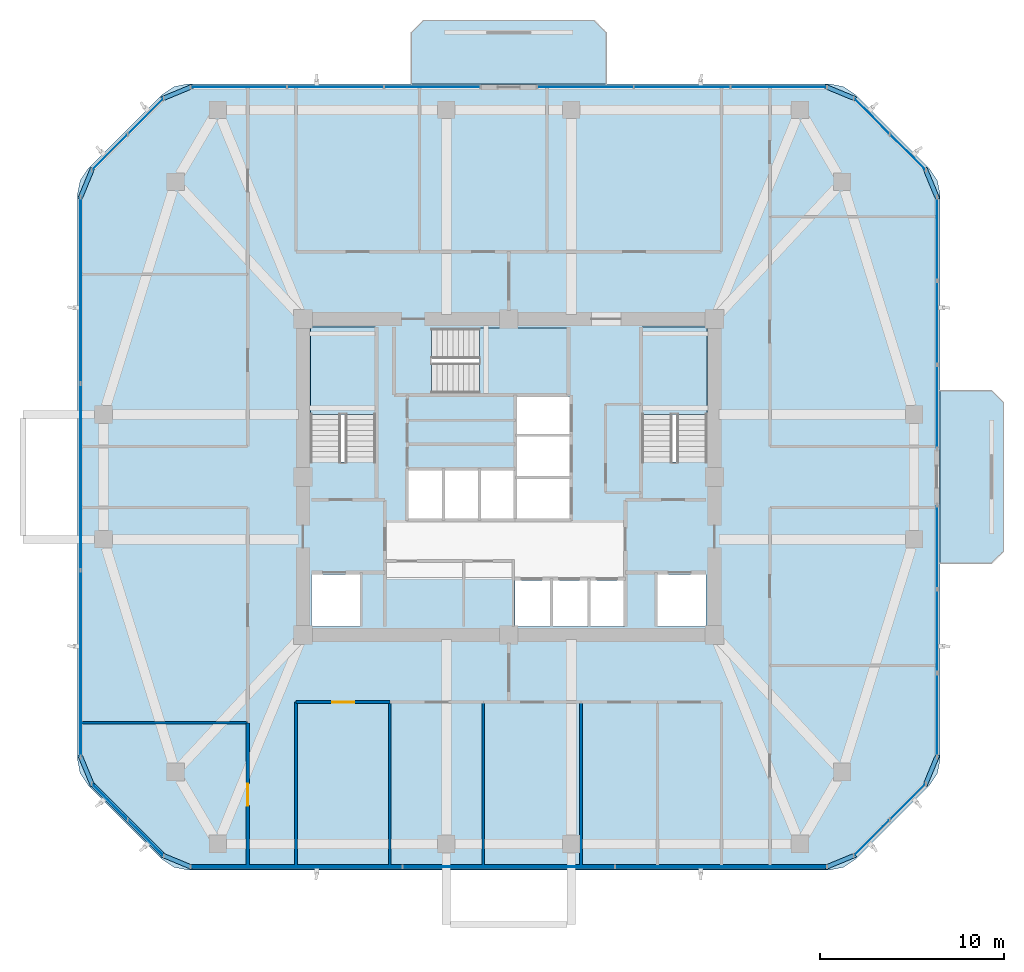
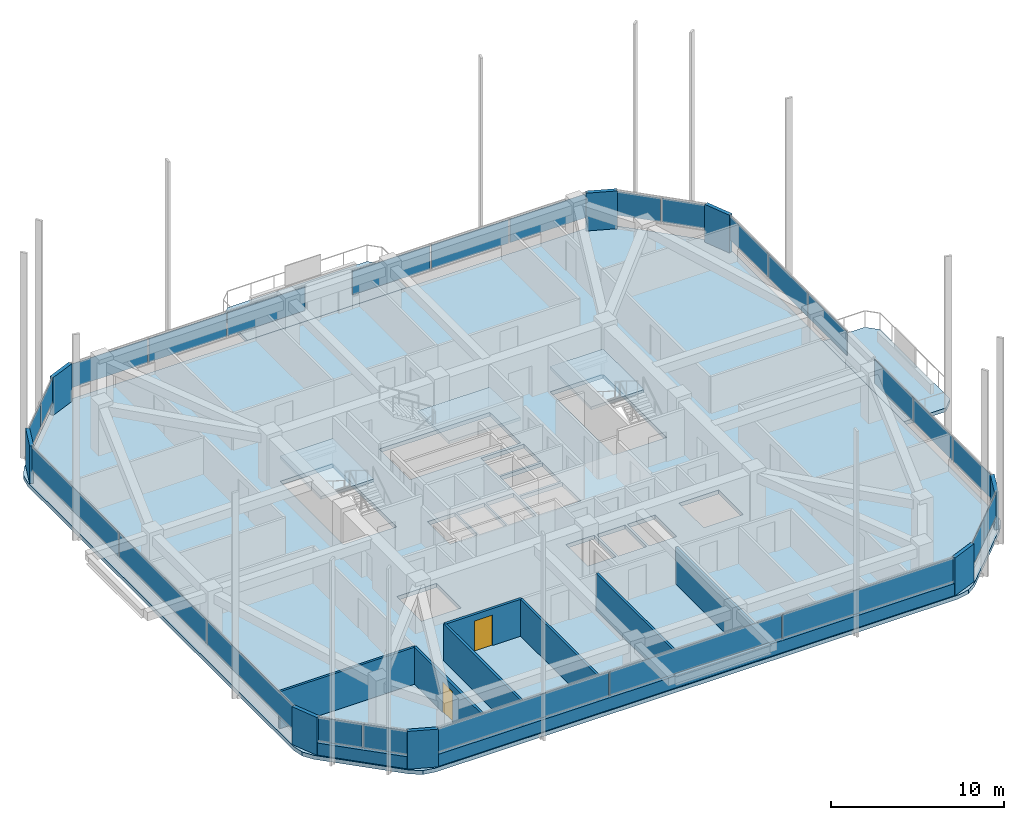
# One storey, part 7 of 14: 34 plates, 9 walls, 6 slabs, 2 doors, 2 openings, 13 elements without a shape of their own.
"""IFC4 building model written with IfcOpenShell, lengths in metres."""

from ifc_helpers import new_model, si_unit, derived_unit, direction, frame, frame_2d, origin, origin_2d, place, context, subcontext, project, spatial, polyline, rectangle, outline, extrude, material, layer, layer_set, type_object, element, fill, aggregate, save


model = new_model("IFC4")

# Units and contexts
model_context = context("Model", 3, precision=1e-05, world=origin(), true_north=direction((0.0, 1.0)))
body_context = subcontext(model_context, "Body", "Model", "MODEL_VIEW")
ifc_project = project(units=[si_unit("LENGTHUNIT", "METRE"), si_unit("AREAUNIT", "SQUARE_METRE"), si_unit("VOLUMEUNIT", "CUBIC_METRE"), si_unit("PLANEANGLEUNIT", "RADIAN"), si_unit("MASSUNIT", "GRAM", prefix="KILO"), derived_unit("THERMALTRANSMITTANCEUNIT", [(si_unit("POWERUNIT", "WATT"), 1), (si_unit("LENGTHUNIT", "METRE"), -2), (si_unit("THERMODYNAMICTEMPERATUREUNIT", "KELVIN"), -1)])], contexts=[model_context])

# Site, building, storey
site_placement = place(None, origin())
site = spatial("IfcSite", under=ifc_project, at=site_placement, CompositionType="ELEMENT")
building_placement = place(site_placement, origin())
building = spatial("IfcBuilding", under=site, at=building_placement, Name="Koralith Skygarden Medical Center", CompositionType="ELEMENT")
storey_placement = place(building_placement, frame((0.0, 0.0, 145.6201171875)))
storey = spatial("IfcBuildingStorey", under=building, at=storey_placement, Name="L37", CompositionType="ELEMENT", Elevation=145.6201171875)

# Curtain wall, plates
ifc_material_1 = material(Name="Clear Laminated Glass", Category="glass")
curtain_wall_type = type_object("IfcCurtainWallType", Name="CW-4 Zone 3 Waist High-Wind Curtain Wall", PredefinedType="NOTDEFINED", material=ifc_material_1)
curtain_wall_1_placement = place(storey_placement, origin())
curtain_wall_1 = element("IfcCurtainWall", 1, at=curtain_wall_1_placement, inside=storey, type_object=curtain_wall_type, Name="Curtain Wall CW-L37-S", PredefinedType="NOTDEFINED")
ifc_layer_1 = layer(ifc_material_1, 0.035888671875)
ifc_layer_set_1 = layer_set([ifc_layer_1], Name="Clear Laminated Glass")
plate_type_1 = type_object("IfcPlateType", Name="CW-4 Hurricane Laminated IGU Panel 36", PredefinedType="CURTAIN_PANEL", material=ifc_layer_set_1)
plate_1_placement = place(storey_placement, frame((25.447021484375, 4.679931640625, 0.919921875), z_axis=(0.0, 0.0, 1.0), x_axis=(1.0, 0.0, 0.0)))
plate_1 = element("IfcPlate", 2, at=plate_1_placement, type_object=plate_type_1, Name="CW-L37-S Glazed Panel 1", PredefinedType="CURTAIN_PANEL", context=body_context, shape_type="SweptSolid", body=[
    extrude(rectangle(XDim=11.462890625, YDim=0.035888671875, at=origin_2d()), origin(), (0.0, 0.0, 1.0), 1.679931640625),
])
plate_2_placement = place(storey_placement, frame((37.0, 4.679931640625, 0.919921875), z_axis=(0.0, 0.0, 1.0), x_axis=(1.0, 0.0, 0.0)))
plate_2 = element("IfcPlate", 3, at=plate_2_placement, type_object=plate_type_1, Name="CW-L37-S Glazed Panel 2", PredefinedType="CURTAIN_PANEL", context=body_context, shape_type="SweptSolid", body=[
    extrude(rectangle(XDim=11.462890625, YDim=0.035888671875, at=origin_2d()), origin(), (0.0, 0.0, 1.0), 1.679931640625),
])
plate_3_placement = place(storey_placement, frame((48.552978515625, 4.679931640625, 0.919921875), z_axis=(0.0, 0.0, 1.0), x_axis=(1.0, 0.0, 0.0)))
plate_3 = element("IfcPlate", 4, at=plate_3_placement, type_object=plate_type_1, Name="CW-L37-S Glazed Panel 3", PredefinedType="CURTAIN_PANEL", context=body_context, shape_type="SweptSolid", body=[
    extrude(rectangle(XDim=11.462890625, YDim=0.035888671875, at=origin_2d()), origin(), (0.0, 0.0, 1.0), 1.679931640625),
])
aggregate(curtain_wall_1, [plate_1, plate_2, plate_3])

curtain_wall_2_placement = place(storey_placement, origin())
curtain_wall_2 = element("IfcCurtainWall", 5, at=curtain_wall_2_placement, inside=storey, type_object=curtain_wall_type, Name="Curtain Wall CW-L37-SE", PredefinedType="NOTDEFINED")
plate_4_placement = place(storey_placement, frame((56.760986328125, 6.261962890625, 0.919921875), z_axis=(0.0, 0.0, 1.0), x_axis=(0.707106781187, 0.707106781187, 0.0)))
plate_4 = element("IfcPlate", 6, at=plate_4_placement, type_object=plate_type_1, Name="CW-L37-SE Glazed Panel 1", PredefinedType="CURTAIN_PANEL", context=body_context, shape_type="SweptSolid", body=[
    extrude(rectangle(XDim=2.68408203125, YDim=0.035888671875, at=origin_2d()), origin(), (0.0, 0.0, 1.0), 1.679931640625),
])
plate_5_placement = place(storey_placement, frame((58.721923828125, 8.222900390625, 0.919921875), z_axis=(0.0, 0.0, 1.0), x_axis=(0.707106781187, 0.707106781187, 0.0)))
plate_5 = element("IfcPlate", 7, at=plate_5_placement, type_object=plate_type_1, Name="CW-L37-SE Glazed Panel 2", PredefinedType="CURTAIN_PANEL", context=body_context, shape_type="SweptSolid", body=[
    extrude(rectangle(XDim=2.68408203125, YDim=0.035888671875, at=origin_2d()), origin(), (0.0, 0.0, 1.0), 1.679931640625),
])
aggregate(curtain_wall_2, [plate_4, plate_5])

curtain_wall_3_placement = place(storey_placement, origin())
curtain_wall_3 = element("IfcCurtainWall", 8, at=curtain_wall_3_placement, inside=storey, type_object=curtain_wall_type, Name="Curtain Wall CW-L37-E-L", PredefinedType="NOTDEFINED")
plate_6_placement = place(storey_placement, frame((60.303955078125, 12.93896484375, 0.919921875), z_axis=(0.0, 0.0, 1.0), x_axis=(0.0, 1.0, 0.0)))
plate_6 = element("IfcPlate", 9, at=plate_6_placement, type_object=plate_type_1, Name="CW-L37-E-L Glazed Panel 1", PredefinedType="CURTAIN_PANEL", context=body_context, shape_type="SweptSolid", body=[
    extrude(rectangle(XDim=4.47802734375, YDim=0.035888671875, at=origin_2d()), origin(), (0.0, 0.0, 1.0), 1.679931640625),
])
plate_7_placement = place(storey_placement, frame((60.303955078125, 17.508056640625, 0.919921875), z_axis=(0.0, 0.0, 1.0), x_axis=(0.0, 1.0, 0.0)))
plate_7 = element("IfcPlate", 10, at=plate_7_placement, type_object=plate_type_1, Name="CW-L37-E-L Glazed Panel 2", PredefinedType="CURTAIN_PANEL", context=body_context, shape_type="SweptSolid", body=[
    extrude(rectangle(XDim=4.47802734375, YDim=0.035888671875, at=origin_2d()), origin(), (0.0, 0.0, 1.0), 1.679931640625),
])
plate_8_placement = place(storey_placement, frame((60.303955078125, 22.075927734375, 0.919921875), z_axis=(0.0, 0.0, 1.0), x_axis=(0.0, 1.0, 0.0)))
plate_8 = element("IfcPlate", 11, at=plate_8_placement, type_object=plate_type_1, Name="CW-L37-E-L Glazed Panel 3", PredefinedType="CURTAIN_PANEL", context=body_context, shape_type="SweptSolid", body=[
    extrude(rectangle(XDim=4.47802734375, YDim=0.035888671875, at=origin_2d()), origin(), (0.0, 0.0, 1.0), 1.679931640625),
])
aggregate(curtain_wall_3, [plate_6, plate_7, plate_8])

curtain_wall_4_placement = place(storey_placement, origin())
curtain_wall_4 = element("IfcCurtainWall", 12, at=curtain_wall_4_placement, inside=storey, type_object=curtain_wall_type, Name="Curtain Wall CW-L37-E-R", PredefinedType="NOTDEFINED")
plate_9_placement = place(storey_placement, frame((60.303955078125, 29.72412109375, 0.919921875), z_axis=(0.0, 0.0, 1.0), x_axis=(0.0, 1.0, 0.0)))
plate_9 = element("IfcPlate", 13, at=plate_9_placement, type_object=plate_type_1, Name="CW-L37-E-R Glazed Panel 1", PredefinedType="CURTAIN_PANEL", context=body_context, shape_type="SweptSolid", body=[
    extrude(rectangle(XDim=4.47802734375, YDim=0.035888671875, at=origin_2d()), origin(), (0.0, 0.0, 1.0), 1.679931640625),
])
plate_10_placement = place(storey_placement, frame((60.303955078125, 34.29296875, 0.919921875), z_axis=(0.0, 0.0, 1.0), x_axis=(0.0, 1.0, 0.0)))
plate_10 = element("IfcPlate", 14, at=plate_10_placement, type_object=plate_type_1, Name="CW-L37-E-R Glazed Panel 2", PredefinedType="CURTAIN_PANEL", context=body_context, shape_type="SweptSolid", body=[
    extrude(rectangle(XDim=4.47802734375, YDim=0.035888671875, at=origin_2d()), origin(), (0.0, 0.0, 1.0), 1.679931640625),
])
plate_11_placement = place(storey_placement, frame((60.303955078125, 38.861083984375, 0.919921875), z_axis=(0.0, 0.0, 1.0), x_axis=(0.0, 1.0, 0.0)))
plate_11 = element("IfcPlate", 15, at=plate_11_placement, type_object=plate_type_1, Name="CW-L37-E-R Glazed Panel 3", PredefinedType="CURTAIN_PANEL", context=body_context, shape_type="SweptSolid", body=[
    extrude(rectangle(XDim=4.47802734375, YDim=0.035888671875, at=origin_2d()), origin(), (0.0, 0.0, 1.0), 1.679931640625),
])
aggregate(curtain_wall_4, [plate_9, plate_10, plate_11])

curtain_wall_5_placement = place(storey_placement, origin())
curtain_wall_5 = element("IfcCurtainWall", 16, at=curtain_wall_5_placement, inside=storey, type_object=curtain_wall_type, Name="Curtain Wall CW-L37-NE", PredefinedType="NOTDEFINED")
plate_12_placement = place(storey_placement, frame((58.721923828125, 43.576904296875, 0.919921875), z_axis=(0.0, 0.0, 1.0), x_axis=(-0.707106781187, 0.707106781187, 0.0)))
plate_12 = element("IfcPlate", 17, at=plate_12_placement, type_object=plate_type_1, Name="CW-L37-NE Glazed Panel 1", PredefinedType="CURTAIN_PANEL", context=body_context, shape_type="SweptSolid", body=[
    extrude(rectangle(XDim=2.68408203125, YDim=0.035888671875, at=origin_2d()), origin(), (0.0, 0.0, 1.0), 1.679931640625),
])
plate_13_placement = place(storey_placement, frame((56.760986328125, 45.5380859375, 0.919921875), z_axis=(0.0, 0.0, 1.0), x_axis=(-0.707106781187, 0.707106781187, 0.0)))
plate_13 = element("IfcPlate", 18, at=plate_13_placement, type_object=plate_type_1, Name="CW-L37-NE Glazed Panel 2", PredefinedType="CURTAIN_PANEL", context=body_context, shape_type="SweptSolid", body=[
    extrude(rectangle(XDim=2.68408203125, YDim=0.035888671875, at=origin_2d()), origin(), (0.0, 0.0, 1.0), 1.679931640625),
])
aggregate(curtain_wall_5, [plate_12, plate_13])

curtain_wall_6_placement = place(storey_placement, origin())
curtain_wall_6 = element("IfcCurtainWall", 19, at=curtain_wall_6_placement, inside=storey, type_object=curtain_wall_type, Name="Curtain Wall CW-L37-N-L", PredefinedType="NOTDEFINED")
plate_14_placement = place(storey_placement, frame((51.697998046875, 47.1201171875, 0.919921875), z_axis=(0.0, 0.0, 1.0), x_axis=(-1.0, 0.0, 0.0)))
plate_14 = element("IfcPlate", 20, at=plate_14_placement, type_object=plate_type_1, Name="CW-L37-N-L Glazed Panel 1", PredefinedType="CURTAIN_PANEL", context=body_context, shape_type="SweptSolid", body=[
    extrude(rectangle(XDim=5.173095703125, YDim=0.035888671875, at=origin_2d()), origin(), (0.0, 0.0, 1.0), 1.679931640625),
])
plate_15_placement = place(storey_placement, frame((46.43505859375, 47.1201171875, 0.919921875), z_axis=(0.0, 0.0, 1.0), x_axis=(-1.0, 0.0, 0.0)))
plate_15 = element("IfcPlate", 21, at=plate_15_placement, type_object=plate_type_1, Name="CW-L37-N-L Glazed Panel 2", PredefinedType="CURTAIN_PANEL", context=body_context, shape_type="SweptSolid", body=[
    extrude(rectangle(XDim=5.173095703125, YDim=0.035888671875, at=origin_2d()), origin(), (0.0, 0.0, 1.0), 1.679931640625),
])
plate_16_placement = place(storey_placement, frame((41.172119140625, 47.1201171875, 0.919921875), z_axis=(0.0, 0.0, 1.0), x_axis=(-1.0, 0.0, 0.0)))
plate_16 = element("IfcPlate", 22, at=plate_16_placement, type_object=plate_type_1, Name="CW-L37-N-L Glazed Panel 3", PredefinedType="CURTAIN_PANEL", context=body_context, shape_type="SweptSolid", body=[
    extrude(rectangle(XDim=5.173095703125, YDim=0.035888671875, at=origin_2d()), origin(), (0.0, 0.0, 1.0), 1.679931640625),
])
aggregate(curtain_wall_6, [plate_14, plate_15, plate_16])

curtain_wall_7_placement = place(storey_placement, origin())
curtain_wall_7 = element("IfcCurtainWall", 23, at=curtain_wall_7_placement, inside=storey, type_object=curtain_wall_type, Name="Curtain Wall CW-L37-N-R", PredefinedType="NOTDEFINED")
plate_17_placement = place(storey_placement, frame((32.8291015625, 47.1201171875, 0.919921875), z_axis=(0.0, 0.0, 1.0), x_axis=(-1.0, 0.0, 0.0)))
plate_17 = element("IfcPlate", 24, at=plate_17_placement, type_object=plate_type_1, Name="CW-L37-N-R Glazed Panel 1", PredefinedType="CURTAIN_PANEL", context=body_context, shape_type="SweptSolid", body=[
    extrude(rectangle(XDim=5.173095703125, YDim=0.035888671875, at=origin_2d()), origin(), (0.0, 0.0, 1.0), 1.679931640625),
])
plate_18_placement = place(storey_placement, frame((27.56591796875, 47.1201171875, 0.919921875), z_axis=(0.0, 0.0, 1.0), x_axis=(-1.0, 0.0, 0.0)))
plate_18 = element("IfcPlate", 25, at=plate_18_placement, type_object=plate_type_1, Name="CW-L37-N-R Glazed Panel 2", PredefinedType="CURTAIN_PANEL", context=body_context, shape_type="SweptSolid", body=[
    extrude(rectangle(XDim=5.173095703125, YDim=0.035888671875, at=origin_2d()), origin(), (0.0, 0.0, 1.0), 1.679931640625),
])
plate_19_placement = place(storey_placement, frame((22.302978515625, 47.1201171875, 0.919921875), z_axis=(0.0, 0.0, 1.0), x_axis=(-1.0, 0.0, 0.0)))
plate_19 = element("IfcPlate", 26, at=plate_19_placement, type_object=plate_type_1, Name="CW-L37-N-R Glazed Panel 3", PredefinedType="CURTAIN_PANEL", context=body_context, shape_type="SweptSolid", body=[
    extrude(rectangle(XDim=5.173095703125, YDim=0.035888671875, at=origin_2d()), origin(), (0.0, 0.0, 1.0), 1.679931640625),
])
aggregate(curtain_wall_7, [plate_17, plate_18, plate_19])

curtain_wall_8_placement = place(storey_placement, origin())
curtain_wall_8 = element("IfcCurtainWall", 27, at=curtain_wall_8_placement, inside=storey, type_object=curtain_wall_type, Name="Curtain Wall CW-L37-NW", PredefinedType="NOTDEFINED")
plate_20_placement = place(storey_placement, frame((17.239013671875, 45.5380859375, 0.919921875), z_axis=(0.0, 0.0, 1.0), x_axis=(-0.707106781187, -0.707106781187, 0.0)))
plate_20 = element("IfcPlate", 28, at=plate_20_placement, type_object=plate_type_1, Name="CW-L37-NW Glazed Panel 1", PredefinedType="CURTAIN_PANEL", context=body_context, shape_type="SweptSolid", body=[
    extrude(rectangle(XDim=2.68408203125, YDim=0.035888671875, at=origin_2d()), origin(), (0.0, 0.0, 1.0), 1.679931640625),
])
plate_21_placement = place(storey_placement, frame((15.278076171875, 43.576904296875, 0.919921875), z_axis=(0.0, 0.0, 1.0), x_axis=(-0.707106781187, -0.707106781187, 0.0)))
plate_21 = element("IfcPlate", 29, at=plate_21_placement, type_object=plate_type_1, Name="CW-L37-NW Glazed Panel 2", PredefinedType="CURTAIN_PANEL", context=body_context, shape_type="SweptSolid", body=[
    extrude(rectangle(XDim=2.68408203125, YDim=0.035888671875, at=origin_2d()), origin(), (0.0, 0.0, 1.0), 1.679931640625),
])
aggregate(curtain_wall_8, [plate_20, plate_21])

curtain_wall_9_placement = place(storey_placement, origin())
curtain_wall_9 = element("IfcCurtainWall", 30, at=curtain_wall_9_placement, inside=storey, type_object=curtain_wall_type, Name="Curtain Wall CW-L37-W", PredefinedType="NOTDEFINED")
plate_22_placement = place(storey_placement, frame((13.696044921875, 36.06298828125, 0.919921875), z_axis=(0.0, 0.0, 1.0), x_axis=(0.0, -1.0, 0.0)))
plate_22 = element("IfcPlate", 31, at=plate_22_placement, type_object=plate_type_1, Name="CW-L37-W Glazed Panel 1", PredefinedType="CURTAIN_PANEL", context=body_context, shape_type="SweptSolid", body=[
    extrude(rectangle(XDim=10.072998046875, YDim=0.035888671875, at=origin_2d()), origin(), (0.0, 0.0, 1.0), 1.679931640625),
])
plate_23_placement = place(storey_placement, frame((13.696044921875, 25.89990234375, 0.919921875), z_axis=(0.0, 0.0, 1.0), x_axis=(0.0, -1.0, 0.0)))
plate_23 = element("IfcPlate", 32, at=plate_23_placement, type_object=plate_type_1, Name="CW-L37-W Glazed Panel 2", PredefinedType="CURTAIN_PANEL", context=body_context, shape_type="SweptSolid", body=[
    extrude(rectangle(XDim=10.072998046875, YDim=0.035888671875, at=origin_2d()), origin(), (0.0, 0.0, 1.0), 1.679931640625),
])
plate_24_placement = place(storey_placement, frame((13.696044921875, 15.737060546875, 0.919921875), z_axis=(0.0, 0.0, 1.0), x_axis=(0.0, -1.0, 0.0)))
plate_24 = element("IfcPlate", 33, at=plate_24_placement, type_object=plate_type_1, Name="CW-L37-W Glazed Panel 3", PredefinedType="CURTAIN_PANEL", context=body_context, shape_type="SweptSolid", body=[
    extrude(rectangle(XDim=10.072998046875, YDim=0.035888671875, at=origin_2d()), origin(), (0.0, 0.0, 1.0), 1.679931640625),
])
aggregate(curtain_wall_9, [plate_22, plate_23, plate_24])

curtain_wall_10_placement = place(storey_placement, origin())
curtain_wall_10 = element("IfcCurtainWall", 34, at=curtain_wall_10_placement, inside=storey, type_object=curtain_wall_type, Name="Curtain Wall CW-L37-SW", PredefinedType="NOTDEFINED")
plate_25_placement = place(storey_placement, frame((15.278076171875, 8.222900390625, 0.919921875), z_axis=(0.0, 0.0, 1.0), x_axis=(0.707106781187, -0.707106781187, 0.0)))
plate_25 = element("IfcPlate", 35, at=plate_25_placement, type_object=plate_type_1, Name="CW-L37-SW Glazed Panel 1", PredefinedType="CURTAIN_PANEL", context=body_context, shape_type="SweptSolid", body=[
    extrude(rectangle(XDim=2.68408203125, YDim=0.035888671875, at=origin_2d()), origin(), (0.0, 0.0, 1.0), 1.679931640625),
])
plate_26_placement = place(storey_placement, frame((17.239013671875, 6.261962890625, 0.919921875), z_axis=(0.0, 0.0, 1.0), x_axis=(0.707106781187, -0.707106781187, 0.0)))
plate_26 = element("IfcPlate", 36, at=plate_26_placement, type_object=plate_type_1, Name="CW-L37-SW Glazed Panel 2", PredefinedType="CURTAIN_PANEL", context=body_context, shape_type="SweptSolid", body=[
    extrude(rectangle(XDim=2.68408203125, YDim=0.035888671875, at=origin_2d()), origin(), (0.0, 0.0, 1.0), 1.679931640625),
])
aggregate(curtain_wall_10, [plate_25, plate_26])

# Slabs
ifc_material_2 = material(Name="Concrete C45/55", Category="concrete")
ifc_layer_2 = layer(ifc_material_2, 0.260009765625)
ifc_layer_set_2 = layer_set([ifc_layer_2], Name="Concrete C45/55")
slab_type_1 = type_object("IfcSlabType", Name="Cantilevered Planted Balcony Slab 260", PredefinedType="FLOOR", material=ifc_layer_set_2)
slab_1_placement = place(storey_placement, frame((0.0, 0.0, -0.260009765625)))
element("IfcSlab", 37, at=slab_1_placement, inside=storey, type_object=slab_type_1, Name="L37 N Planted Sky-Garden Balcony Slab", PredefinedType="FLOOR", context=body_context, shape_type="SweptSolid", body=[
    extrude(outline(polyline([(31.699951171875, 47.300048828125), (42.300048828125, 47.300048828125), (42.300048828125, 50.10009765625), (41.64990234375, 50.75), (32.35009765625, 50.75), (31.699951171875, 50.10009765625), (31.699951171875, 47.300048828125)])), origin(), (0.0, 0.0, 1.0), 0.260009765625),
])
slab_2_placement = place(storey_placement, frame((0.0, 0.0, -0.260009765625)))
element("IfcSlab", 38, at=slab_2_placement, inside=storey, type_object=slab_type_1, Name="L37 E Planted Sky-Garden Balcony Slab", PredefinedType="FLOOR", context=body_context, shape_type="SweptSolid", body=[
    extrude(outline(polyline([(60.48388671875, 21.199951171875), (63.283935546875, 21.199951171875), (63.93408203125, 21.85009765625), (63.93408203125, 29.949951171875), (63.283935546875, 30.60009765625), (60.48388671875, 30.60009765625), (60.48388671875, 21.199951171875)])), origin(), (0.0, 0.0, 1.0), 0.260009765625),
])

# Stair, slab
stair_type = type_object("IfcStairType", Name="Core Exit Dogleg Concrete Stair", PredefinedType="HALF_TURN_STAIR", material=ifc_material_2)
stair_1_placement = place(storey_placement, origin())
stair_1 = element("IfcStair", 39, at=stair_1_placement, inside=storey, type_object=stair_type, Name="L37 Smokeproof Exit Stair ST1", PredefinedType="HALF_TURN_STAIR")
ifc_layer_3 = layer(ifc_material_2, 0.199951171875)
ifc_layer_set_3 = layer_set([ifc_layer_3], Name="Concrete C45/55")
slab_type_2 = type_object("IfcSlabType", Name="Core Exit Concrete Stair Landing 200", PredefinedType="LANDING", material=ifc_layer_set_3)
slab_3_placement = place(storey_placement, frame((0.0, 0.0, 1.599853515625)))
slab_3 = element("IfcSlab", 40, at=slab_3_placement, type_object=slab_type_2, Name="ST1 landing 1", PredefinedType="LANDING", context=body_context, shape_type="SweptSolid", body=[
    extrude(outline(polyline([(29.75, 29.31005859375), (29.75, 34.050048828125), (26.199951171875, 34.050048828125), (26.199951171875, 29.31005859375), (29.75, 29.31005859375)])), origin(), (0.0, 0.0, 1.0), 0.199951171875),
])
aggregate(stair_1, [slab_3])

stair_2_placement = place(storey_placement, origin())
stair_2 = element("IfcStair", 41, at=stair_2_placement, inside=storey, type_object=stair_type, Name="L37 Smokeproof Exit Stair ST2", PredefinedType="HALF_TURN_STAIR")
slab_4_placement = place(storey_placement, frame((0.0, 0.0, 1.599853515625)))
slab_4 = element("IfcSlab", 42, at=slab_4_placement, type_object=slab_type_2, Name="ST2 landing 1", PredefinedType="LANDING", context=body_context, shape_type="SweptSolid", body=[
    extrude(outline(polyline([(47.800048828125, 29.31005859375), (47.800048828125, 34.050048828125), (44.25, 34.050048828125), (44.25, 29.31005859375), (47.800048828125, 29.31005859375)])), origin(), (0.0, 0.0, 1.0), 0.199951171875),
])
aggregate(stair_2, [slab_4])

stair_3_placement = place(storey_placement, origin())
stair_3 = element("IfcStair", 43, at=stair_3_placement, inside=storey, type_object=stair_type, Name="L37 Smokeproof Exit Stair ST3", PredefinedType="HALF_TURN_STAIR")
slab_5_placement = place(storey_placement, frame((0.0, 0.0, 1.599853515625)))
slab_5 = element("IfcSlab", 44, at=slab_5_placement, type_object=slab_type_2, Name="ST3 landing 1", PredefinedType="LANDING", context=body_context, shape_type="SweptSolid", body=[
    extrude(outline(polyline([(35.409912109375, 30.449951171875), (40.199951171875, 30.449951171875), (40.199951171875, 34.0), (35.409912109375, 34.0), (35.409912109375, 30.449951171875)])), origin(), (0.0, 0.0, 1.0), 0.199951171875),
])
aggregate(stair_3, [slab_5])

# Slab
ifc_layer_4 = layer(ifc_material_2, 0.280029296875)
ifc_layer_set_4 = layer_set([ifc_layer_4], Name="Concrete C45/55")
slab_type_3 = type_object("IfcSlabType", Name="Post-Tensioned Ward Floor Plate 280", PredefinedType="FLOOR", material=ifc_layer_set_4)
slab_6_placement = place(storey_placement, frame((0.0, 0.0, -0.280029296875)))
element("IfcSlab", 45, at=slab_6_placement, inside=storey, type_object=slab_type_3, Name="Level L37 Structural Floor Slab", PredefinedType="FLOOR", context=body_context, shape_type="SweptSolid", body=[
    extrude(outline(polyline([(18.1298828125, 5.0859375), (18.779052734375, 4.652099609375), (19.5439453125, 4.5), (54.4560546875, 4.5), (55.220947265625, 4.652099609375), (55.8701171875, 5.0859375), (59.89794921875, 9.114013671875), (60.33203125, 9.762939453125), (60.48388671875, 10.528076171875), (60.48388671875, 41.27197265625), (60.33203125, 42.037109375), (59.89794921875, 42.68603515625), (55.8701171875, 46.714111328125), (55.220947265625, 47.14794921875), (54.4560546875, 47.300048828125), (19.5439453125, 47.300048828125), (18.779052734375, 47.14794921875), (18.1298828125, 46.714111328125), (14.10205078125, 42.68603515625), (13.66796875, 42.037109375), (13.51611328125, 41.27197265625), (13.51611328125, 10.528076171875), (13.66796875, 9.762939453125), (14.10205078125, 9.114013671875), (18.1298828125, 5.0859375)]), holes=[polyline([(26.199951171875, 26.705078125), (29.75, 26.705078125), (29.75, 34.050048828125), (26.199951171875, 34.050048828125), (26.199951171875, 26.705078125)]), polyline([(44.25, 26.705078125), (47.800048828125, 26.705078125), (47.800048828125, 34.050048828125), (44.25, 34.050048828125), (44.25, 26.705078125)]), polyline([(32.804931640625, 30.449951171875), (40.199951171875, 30.449951171875), (40.199951171875, 34.0), (32.804931640625, 34.0), (32.804931640625, 30.449951171875)]), polyline([(26.25, 17.75), (28.89990234375, 17.75), (28.89990234375, 20.60009765625), (26.25, 20.60009765625), (26.25, 17.75)]), polyline([(45.10009765625, 17.75), (47.75, 17.75), (47.75, 20.60009765625), (45.10009765625, 20.60009765625), (45.10009765625, 17.75)]), polyline([(37.35009765625, 17.75), (39.25, 17.75), (39.25, 20.25), (37.35009765625, 20.25), (37.35009765625, 17.75)]), polyline([(39.39990234375, 17.75), (41.300048828125, 17.75), (41.300048828125, 20.25), (39.39990234375, 20.25), (39.39990234375, 17.75)]), polyline([(41.449951171875, 17.75), (43.300048828125, 17.75), (43.300048828125, 20.25), (41.449951171875, 20.25), (41.449951171875, 17.75)]), polyline([(31.550048828125, 23.64990234375), (33.39990234375, 23.64990234375), (33.39990234375, 26.25), (31.550048828125, 26.25), (31.550048828125, 23.64990234375)]), polyline([(33.5, 23.64990234375), (35.35009765625, 23.64990234375), (35.35009765625, 26.25), (33.5, 26.25), (33.5, 23.64990234375)]), polyline([(35.449951171875, 23.64990234375), (37.300048828125, 23.64990234375), (37.300048828125, 26.25), (35.449951171875, 26.25), (35.449951171875, 23.64990234375)]), polyline([(37.449951171875, 23.64990234375), (40.300048828125, 23.64990234375), (40.300048828125, 25.800048828125), (37.449951171875, 25.800048828125), (37.449951171875, 23.64990234375)]), polyline([(37.449951171875, 25.949951171875), (40.300048828125, 25.949951171875), (40.300048828125, 28.10009765625), (37.449951171875, 28.10009765625), (37.449951171875, 25.949951171875)]), polyline([(37.449951171875, 28.25), (40.300048828125, 28.25), (40.300048828125, 30.25), (37.449951171875, 30.25), (37.449951171875, 28.25)])]), origin(), (0.0, 0.0, 1.0), 0.280029296875),
])

# Plates
ifc_material_3 = material(Name="Warm Oolitic Limestone Cladding", Category="masonry")
ifc_layer_5 = layer(ifc_material_3, 0.239990234375)
ifc_layer_set_5 = layer_set([ifc_layer_5], Name="Warm Oolitic Limestone Cladding")
plate_type_2 = type_object("IfcPlateType", Name="Rounded-Corner Oolitic Limestone Cladding Panel 240", PredefinedType="USERDEFINED", material=ifc_layer_set_5)
for number, where, z_axis, x_axis, name in (
    (46, (55.054931640625, 4.97998046875, 0.0), (0.0, 0.0, 1.0), (0.92388487569, 0.382670532536, 0.0), "L37 Rounded-Corner Limestone Pier 1"),
    (47, (60.00390625, 9.929931640625, 0.0), (0.0, 0.0, 1.0), (0.382670532536, 0.92388487569, 0.0), "L37 Rounded-Corner Limestone Pier 2"),
    (48, (60.00390625, 41.8701171875, 0.0), (0.0, 0.0, 1.0), (-0.382670532536, 0.92388487569, 0.0), "L37 Rounded-Corner Limestone Pier 3"),
    (49, (55.054931640625, 46.819091796875, 0.0), (0.0, 0.0, 1.0), (-0.92388487569, 0.382670532536, 0.0), "L37 Rounded-Corner Limestone Pier 4"),
    (50, (18.945068359375, 46.819091796875, 0.0), (0.0, 0.0, 1.0), (-0.92388487569, -0.382670532536, 0.0), "L37 Rounded-Corner Limestone Pier 5"),
    (51, (13.9970703125, 41.8701171875, 0.0), (0.0, 0.0, 1.0), (-0.382670532536, -0.92388487569, 0.0), "L37 Rounded-Corner Limestone Pier 6"),
    (52, (13.9970703125, 9.929931640625, 0.0), (0.0, 0.0, 1.0), (0.382670532536, -0.92388487569, 0.0), "L37 Rounded-Corner Limestone Pier 7"),
    (53, (18.945068359375, 4.97998046875, 0.0), (0.0, 0.0, 1.0), (0.92388487569, -0.382670532536, 0.0), "L37 Rounded-Corner Limestone Pier 8"),
):
    element("IfcPlate", number, at=place(storey_placement, frame(where, z_axis=z_axis, x_axis=x_axis)), inside=storey, type_object=plate_type_2, Name=name, ObjectType="LIMESTONE CLADDING", PredefinedType="USERDEFINED", context=body_context, shape_type="SweptSolid", body=[
        extrude(rectangle(XDim=1.81103515625, YDim=0.239990234375, at=origin_2d()), origin(), (0.0, 0.0, 1.0), 2.669921875),
    ])

# Walls
ifc_material_4 = material(Name="Gypsum Board Partition")
ifc_layer_6 = layer(ifc_material_4, 0.14990234375)
ifc_layer_set_6 = layer_set([ifc_layer_6], Name="Gypsum Board Partition")
wall_type_1 = type_object("IfcWallType", Name="Clinical Acoustic Partition 150", PredefinedType="PARTITIONING", material=ifc_layer_set_6)
for number, where, z_axis, x_axis, name in (
    (54, (30.52587890625, 13.639892578125, 0.0), (0.0, 0.0, 1.0), (0.0, -1.0, 0.0), "L37 Clinical Acoustic Partition 150 W-PART-L37-S-01"),
    (55, (35.613037109375, 13.639892578125, 0.0), (0.0, 0.0, 1.0), (0.0, -1.0, 0.0), "L37 Clinical Acoustic Partition 150 W-PART-L37-S-02"),
    (56, (40.929931640625, 13.639892578125, 0.0), (0.0, 0.0, 1.0), (0.0, -1.0, 0.0), "L37 Clinical Acoustic Partition 150 W-PART-L37-S-03"),
):
    element("IfcWall", number, at=place(storey_placement, frame(where, z_axis=z_axis, x_axis=x_axis)), inside=storey, type_object=wall_type_1, Name=name, PredefinedType="PARTITIONING", context=body_context, shape_type="SweptSolid", body=[
        extrude(rectangle(XDim=8.93994140625, YDim=0.14990234375, at=frame_2d((4.469970703125, 0.0))), origin(), (0.0, 0.0, 1.0), 2.60986328125),
    ])
wall_1_placement = place(storey_placement, frame((22.7900390625, 12.51611328125, 0.0), z_axis=(0.0, 0.0, 1.0), x_axis=(-1.0, 0.0, 0.0)))
element("IfcWall", 57, at=wall_1_placement, inside=storey, type_object=wall_type_1, Name="L37 Clinical Acoustic Partition 150 W-PART-L37-WS-01", PredefinedType="PARTITIONING", context=body_context, shape_type="SweptSolid", body=[
    extrude(rectangle(XDim=9.073974609375, YDim=0.14990234375, at=frame_2d((4.537109375, 0.0))), origin(), (0.0, 0.0, 1.0), 2.60986328125),
])
ifc_layer_7 = layer(ifc_material_4, 0.1650390625)
ifc_layer_set_7 = layer_set([ifc_layer_7], Name="Gypsum Board Partition")
wall_type_2 = type_object("IfcWallType", Name="Clinical Corridor Partition 165", PredefinedType="PARTITIONING", material=ifc_layer_set_7)
wall_2_placement = place(storey_placement, frame((25.429931640625, 4.699951171875, 0.0), z_axis=(0.0, 0.0, 1.0), x_axis=(0.0, 1.0, 0.0)))
element("IfcWall", 58, at=wall_2_placement, inside=storey, type_object=wall_type_2, Name="L37 Clinical Corridor Partition 165 W-HCOR-L37-SW", PredefinedType="PARTITIONING", context=body_context, shape_type="SweptSolid", body=[
    extrude(rectangle(XDim=8.93994140625, YDim=0.1650390625, at=frame_2d((4.469970703125, 0.0))), origin(), (0.0, 0.0, 1.0), 2.60986328125),
])

# Wall, opening, door
wall_3_placement = place(storey_placement, frame((25.429931640625, 13.639892578125, 0.0), z_axis=(0.0, 0.0, 1.0), x_axis=(1.0, 0.0, 0.0)))
wall_3 = element("IfcWall", 59, at=wall_3_placement, inside=storey, type_object=wall_type_2, Name="L37 Clinical Corridor Partition 165 W-CORR-L37-S-01", PredefinedType="PARTITIONING", context=body_context, shape_type="SweptSolid", body=[
    extrude(rectangle(XDim=5.095947265625, YDim=0.1650390625, at=frame_2d((2.5478515625, 0.0))), origin(), (0.0, 0.0, 1.0), 2.60986328125),
])
opening_1_placement = place(wall_3_placement, frame((1.947998046875, 0.0, 0.0)))
opening_1 = element("IfcOpeningElement", 60, at=opening_1_placement, cuts=wall_3, Name="Opening D-CLN", PredefinedType="OPENING", context=body_context, shape_type="SweptSolid", body=[
    extrude(rectangle(XDim=1.199951171875, YDim=2.14990234375, at=frame_2d((0.60009765625, 1.074951171875))), frame((0.0, 0.092529296875, 0.0), z_axis=(0.0, -1.0, 0.0), x_axis=(1.0, 0.0, 0.0)), (0.0, 0.0, 1.0), 0.18505859375),
])
ifc_material_5 = material(Name="Aluminium 6063-T6", Category="aluminium")
door_type = type_object("IfcDoorType", Name="Clinical Corridor Door D-CLN 1200", OperationType="NOTDEFINED", PredefinedType="DOOR", material=ifc_material_5)
door_1_placement = place(opening_1_placement, frame((1.199951171875, 0.0, 0.0), z_axis=(0.0, 0.0, 1.0), x_axis=(-1.0, 0.0, 0.0)))
door_1 = element("IfcDoor", 61, at=door_1_placement, inside=storey, type_object=door_type, Name="L37 Clinical Tea Pantry 04 Door", OperationType="SINGLE_SWING_LEFT", OverallHeight=2.14990234375, OverallWidth=1.199951171875, PredefinedType="DOOR", context=body_context, shape_type="SweptSolid", body=[
    extrude(rectangle(XDim=1.199951171875, YDim=2.14990234375, at=frame_2d((0.60009765625, 1.074951171875))), frame((0.0, 0.02490234375, 0.0), z_axis=(0.0, -1.0, 0.0), x_axis=(1.0, 0.0, 0.0)), (0.0, 0.0, 1.0), 0.050048828125),
])
fill(opening_1, door_1)

wall_4_placement = place(storey_placement, frame((22.7900390625, 4.699951171875, 0.0), z_axis=(0.0, 0.0, 1.0), x_axis=(0.0, 1.0, 0.0)))
wall_4 = element("IfcWall", 62, at=wall_4_placement, inside=storey, type_object=wall_type_2, Name="L37 Clinical Corridor Partition 165 W-CORR-L37-WS-01", PredefinedType="PARTITIONING", context=body_context, shape_type="SweptSolid", body=[
    extrude(rectangle(XDim=7.816162109375, YDim=0.1650390625, at=frame_2d((3.908203125, 0.0))), origin(), (0.0, 0.0, 1.0), 2.60986328125),
])
opening_2_placement = place(wall_4_placement, frame((3.30810546875, 0.0, 0.0)))
opening_2 = element("IfcOpeningElement", 63, at=opening_2_placement, cuts=wall_4, Name="Opening D-CLN", PredefinedType="OPENING", context=body_context, shape_type="SweptSolid", body=[
    extrude(rectangle(XDim=1.199951171875, YDim=2.14990234375, at=frame_2d((0.60009765625, 1.074951171875))), frame((0.0, 0.092529296875, 0.0), z_axis=(0.0, -1.0, 0.0), x_axis=(1.0, 0.0, 0.0)), (0.0, 0.0, 1.0), 0.18505859375),
])
door_2_placement = place(opening_2_placement, frame((1.199951171875, 0.0, 0.0), z_axis=(0.0, 0.0, 1.0), x_axis=(-1.0, 0.0, 0.0)))
door_2 = element("IfcDoor", 64, at=door_2_placement, inside=storey, type_object=door_type, Name="L37 Clinical Consultation Office 09 Door", OperationType="SINGLE_SWING_RIGHT", OverallHeight=2.14990234375, OverallWidth=1.199951171875, PredefinedType="DOOR", context=body_context, shape_type="SweptSolid", body=[
    extrude(rectangle(XDim=1.199951171875, YDim=2.14990234375, at=frame_2d((0.60009765625, 1.074951171875))), frame((0.0, 0.02490234375, 0.0), z_axis=(0.0, -1.0, 0.0), x_axis=(1.0, 0.0, 0.0)), (0.0, 0.0, 1.0), 0.050048828125),
])
fill(opening_2, door_2)

# Walls
ifc_layer_8 = layer(ifc_material_3, 0.239990234375)
ifc_layer_set_8 = layer_set([ifc_layer_8], Name="Warm Oolitic Limestone Cladding")
wall_type_3 = type_object("IfcWallType", Name="Limestone Spandrel Sill Backup Wall 240", PredefinedType="SOLIDWALL", material=ifc_layer_set_8)
wall_5_placement = place(storey_placement, frame((19.6708984375, 4.679931640625, 0.0), z_axis=(0.0, 0.0, 1.0), x_axis=(1.0, 0.0, 0.0)))
element("IfcWall", 65, at=wall_5_placement, inside=storey, type_object=wall_type_3, Name="L37 Sill Spandrel S", PredefinedType="SOLIDWALL", context=body_context, shape_type="SweptSolid", body=[
    extrude(rectangle(XDim=34.658203125, YDim=0.239990234375, at=frame_2d((17.3291015625, 0.0))), origin(), (0.0, 0.0, 1.0), 0.849853515625),
])
wall_6_placement = place(storey_placement, frame((14.297119140625, 9.2041015625, 0.0), z_axis=(0.0, 0.0, 1.0), x_axis=(0.707084777957, -0.707128783731, 0.0)))
element("IfcWall", 66, at=wall_6_placement, inside=storey, type_object=wall_type_3, Name="L37 Sill Spandrel SW", PredefinedType="SOLIDWALL", context=body_context, shape_type="SweptSolid", body=[
    extrude(rectangle(XDim=5.5478515625, YDim=0.239990234375, at=frame_2d((2.77392578125, 0.0))), origin(), (0.0, 0.0, 1.0), 0.849853515625),
])

save(model, "model.ifc")
